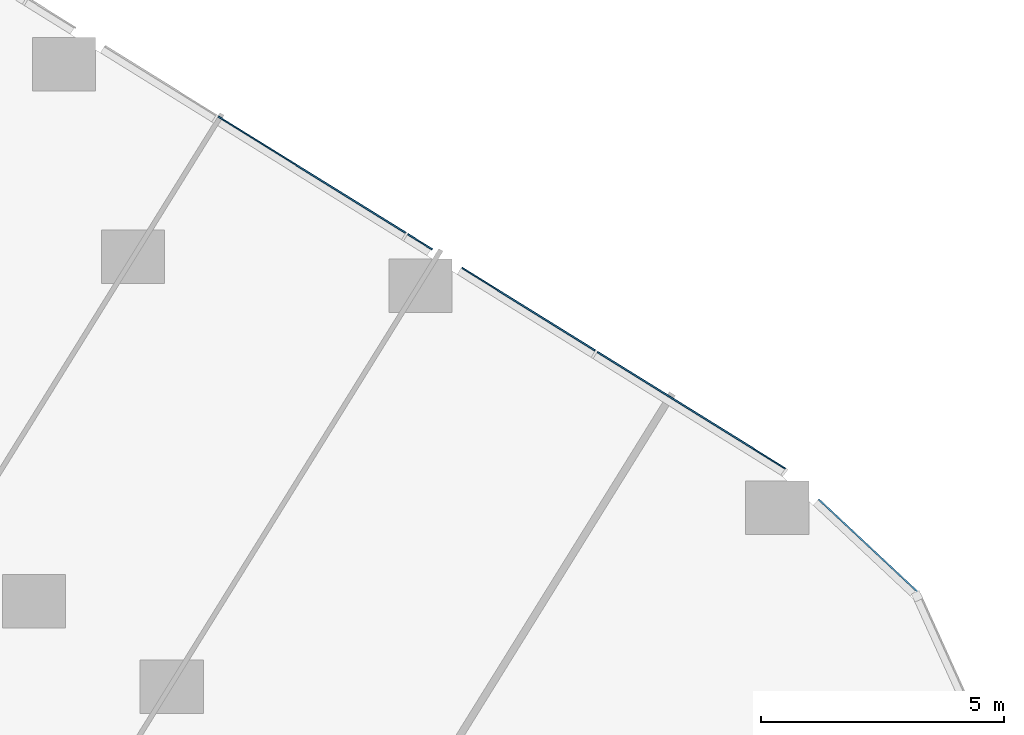
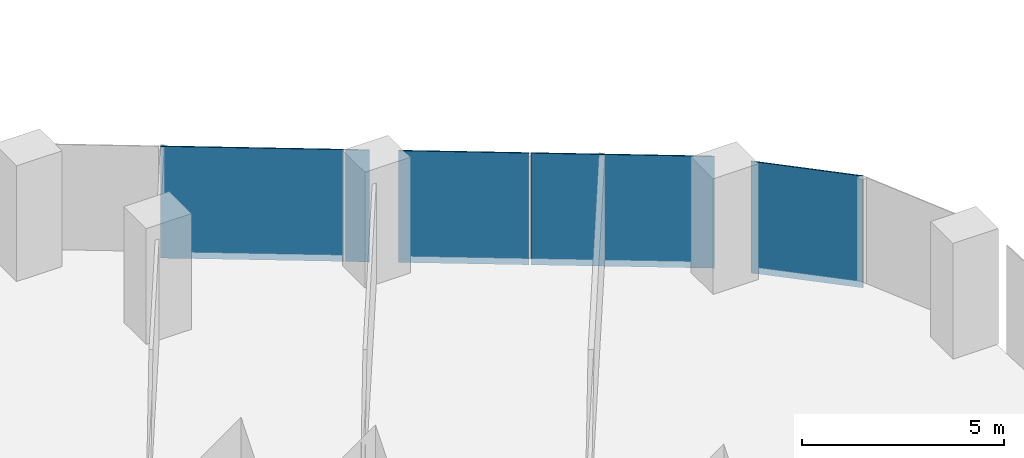
# One storey, part 24 of 34: 5 plates, 2 elements without a shape of their own.
"""IFC4 building model written with IfcOpenShell, lengths in metres."""

from ifc_helpers import new_model, si_unit, direction, frame, origin, origin_2d, place, context, subcontext, project, spatial, rectangle, extrude, material, layer, layer_set, type_object, element, aggregate, save


model = new_model("IFC4")

# Units and contexts
model_context = context("Model", 3, precision=1e-05, world=origin(), true_north=direction((0.0, 1.0)))
body_context = subcontext(model_context, "Body", "Model", "MODEL_VIEW")
ifc_project = project(units=[si_unit("LENGTHUNIT", "METRE"), si_unit("AREAUNIT", "SQUARE_METRE"), si_unit("VOLUMEUNIT", "CUBIC_METRE"), si_unit("PLANEANGLEUNIT", "RADIAN"), si_unit("MASSUNIT", "GRAM", prefix="KILO")], contexts=[model_context])

# Site, building, storey
site_placement = place(None, origin())
site = spatial("IfcSite", under=ifc_project, at=site_placement, CompositionType="ELEMENT")
building_placement = place(site_placement, origin())
building = spatial("IfcBuilding", under=site, at=building_placement, Name="Orlundy Tower", CompositionType="ELEMENT")
storey_placement = place(building_placement, frame((0.0, 0.0, 40.800048828125)))
storey = spatial("IfcBuildingStorey", under=building, at=storey_placement, Name="L08", CompositionType="ELEMENT", Elevation=40.800048828125)

# Curtain wall, plates
ifc_material_1 = material(Name="Aluminium bronze anodised", Category="aluminium")
curtain_wall_type = type_object("IfcCurtainWallType", Name="CW1 wall", PredefinedType="NOTDEFINED", material=ifc_material_1)
curtain_wall_1_placement = place(storey_placement, origin())
curtain_wall_1 = element("IfcCurtainWall", 1, at=curtain_wall_1_placement, inside=storey, type_object=curtain_wall_type, Name="CW1 run 06", PredefinedType="NOTDEFINED")
ifc_material_2 = material(Name="Tinted glass", Category="glass")
ifc_layer = layer(ifc_material_2, 0.031982421875)
ifc_layer_set = layer_set([ifc_layer], Name="CW1 glass panel 32")
plate_type = type_object("IfcPlateType", Name="CW1 glass panel 32", PredefinedType="CURTAIN_PANEL", material=ifc_layer_set)
plate_1_placement = place(storey_placement, frame((43.3681640625, -3.19091796875, -0.300048828125), z_axis=(0.0, 0.0, 1.0), x_axis=(0.849584043137, -0.527453271529, 0.0)))
plate_1 = element("IfcPlate", 2, at=plate_1_placement, type_object=plate_type, Name="CW1 panel", PredefinedType="CURTAIN_PANEL", context=body_context, shape_type="SweptSolid", body=[
    extrude(rectangle(XDim=4.538818359375, YDim=0.031982421875, at=origin_2d()), origin(), (0.0, 0.0, 1.0), 3.3798828125),
])
plate_2_placement = place(storey_placement, frame((45.591552734375, -4.571044921875, -0.300048828125), z_axis=(0.0, 0.0, 1.0), x_axis=(0.849584043137, -0.527453271529, 0.0)))
plate_2 = element("IfcPlate", 3, at=plate_2_placement, type_object=plate_type, Name="CW1 panel", PredefinedType="CURTAIN_PANEL", context=body_context, shape_type="SweptSolid", body=[
    extrude(rectangle(XDim=0.594970703125, YDim=0.031982421875, at=origin_2d()), origin(), (0.0, 0.0, 1.0), 3.3798828125),
])
plate_3_placement = place(storey_placement, frame((47.824462890625, -5.957275390625, -0.300048828125), z_axis=(0.0, 0.0, 1.0), x_axis=(0.849584043137, -0.527453271529, 0.0)))
plate_3 = element("IfcPlate", 4, at=plate_3_placement, type_object=plate_type, Name="CW1 panel", PredefinedType="CURTAIN_PANEL", context=body_context, shape_type="SweptSolid", body=[
    extrude(rectangle(XDim=3.22607421875, YDim=0.031982421875, at=origin_2d()), origin(), (0.0, 0.0, 1.0), 3.3798828125),
])
plate_4_placement = place(storey_placement, frame((51.172119140625, -8.03564453125, -0.300048828125), z_axis=(0.0, 0.0, 1.0), x_axis=(0.849584043137, -0.527453271529, 0.0)))
plate_4 = element("IfcPlate", 5, at=plate_4_placement, type_object=plate_type, Name="CW1 panel", PredefinedType="CURTAIN_PANEL", context=body_context, shape_type="SweptSolid", body=[
    extrude(rectangle(XDim=4.5546875, YDim=0.031982421875, at=origin_2d()), origin(), (0.0, 0.0, 1.0), 3.3798828125),
])
aggregate(curtain_wall_1, [plate_1, plate_2, plate_3, plate_4])

# Curtain wall, plate
curtain_wall_2_placement = place(storey_placement, origin())
curtain_wall_2 = element("IfcCurtainWall", 6, at=curtain_wall_2_placement, inside=storey, type_object=curtain_wall_type, Name="CW1 run 07", PredefinedType="NOTDEFINED")
plate_5_placement = place(storey_placement, frame((54.828857421875, -10.84033203125, -0.300048828125), z_axis=(0.0, 0.0, 1.0), x_axis=(0.730445026852, -0.682971494828, 0.0)))
plate_5 = element("IfcPlate", 7, at=plate_5_placement, type_object=plate_type, Name="CW1 panel", PredefinedType="CURTAIN_PANEL", context=body_context, shape_type="SweptSolid", body=[
    extrude(rectangle(XDim=2.85546875, YDim=0.031982421875, at=origin_2d()), origin(), (0.0, 0.0, 1.0), 3.3798828125),
])
aggregate(curtain_wall_2, [plate_5])

save(model, "model.ifc")
